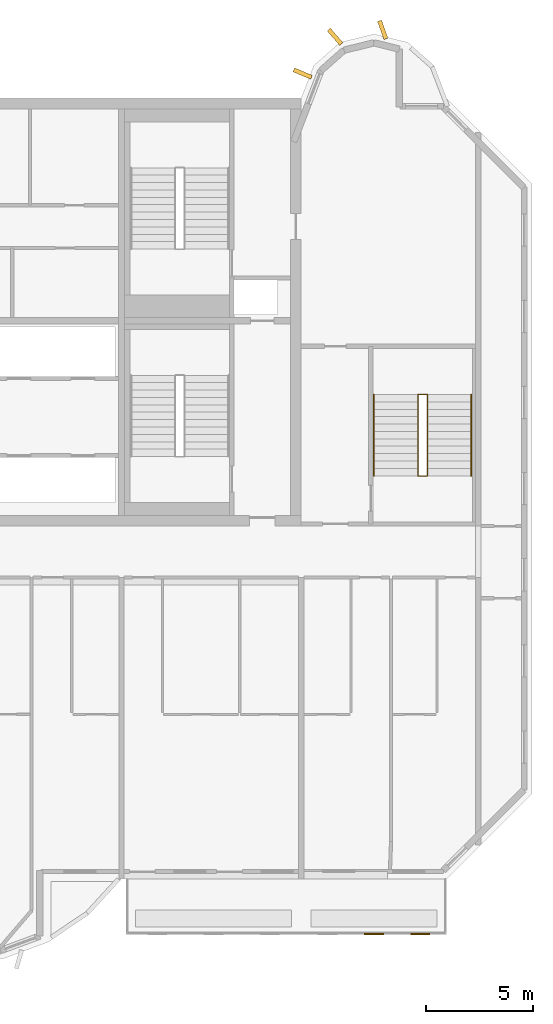
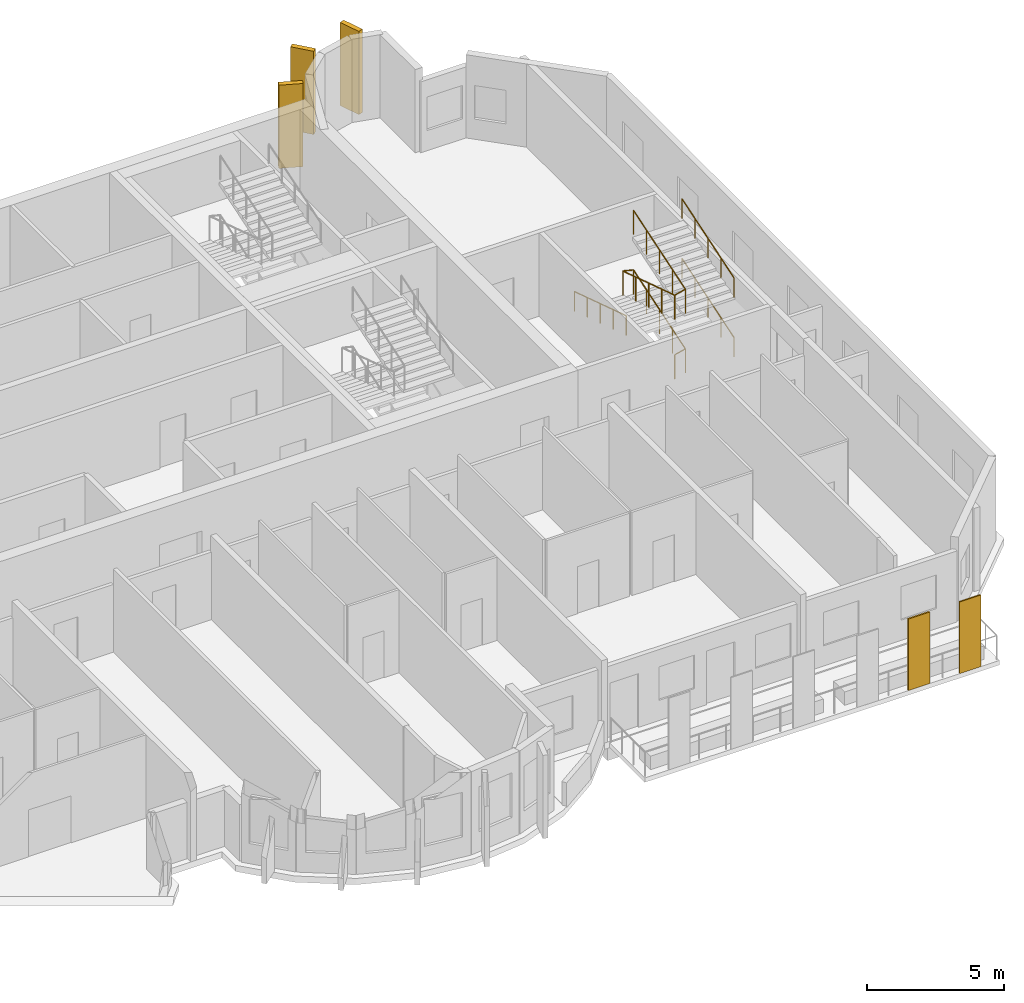
# One storey, part 11 of 12: 5 coverings, 4 railings.
"""IFC4 building model written with IfcOpenShell, lengths in metres."""

from ifc_helpers import new_model, si_unit, direction, frame, origin, origin_2d, place, context, subcontext, project, spatial, rectangle, circle, extrude, source, transform, mapped, material, layer, layer_set, material_profile, profile_set, type_object, element, save


model = new_model("IFC4")

# Units and contexts
model_context = context("Model", 3, precision=1e-05, world=origin(), true_north=direction((0.0, 1.0)))
body_context = subcontext(model_context, "Body", "Model", "MODEL_VIEW")
ifc_project = project(units=[si_unit("LENGTHUNIT", "METRE"), si_unit("AREAUNIT", "SQUARE_METRE"), si_unit("VOLUMEUNIT", "CUBIC_METRE"), si_unit("PLANEANGLEUNIT", "RADIAN"), si_unit("MASSUNIT", "GRAM", prefix="KILO")], contexts=[model_context])

# Site, building, storey
site_placement = place(None, origin())
site = spatial("IfcSite", under=ifc_project, at=site_placement, CompositionType="ELEMENT")
building_placement = place(site_placement, origin())
building = spatial("IfcBuilding", under=site, at=building_placement, Name="Vanashikhar Sky Hotel", CompositionType="ELEMENT")
storey_placement = place(building_placement, frame((0.0, 0.0, 313.699951171875)))
storey = spatial("IfcBuildingStorey", under=building, at=storey_placement, Name="L75", CompositionType="ELEMENT", Elevation=313.699951171875)

# Coverings
ifc_material_1 = material(Name="Terracotta", Category="masonry")
ifc_layer = layer(ifc_material_1, 0.06005859375)
ifc_layer_set = layer_set([ifc_layer], Name="Terracotta baguette screen")
covering_type_1 = type_object("IfcCoveringType", Name="Terracotta baguette screen", PredefinedType="CLADDING", material=ifc_layer_set)
shared_shape_1 = source(origin(), body_context, "Body", "SweptSolid", [
    extrude(rectangle(XDim=0.89990234375, YDim=0.06005859375, at=origin_2d()), origin(), (0.0, 0.0, 1.0), 3.199951171875),
])
for number, where, z_axis, x_axis, name in (
    (1, (79.0, 2.929931640625, -0.0498046875), (0.0, 0.0, 1.0), (1.0, 0.0, 0.0), "Terracotta screen"),
    (2, (81.166748046875, 2.929931640625, -0.0498046875), (0.0, 0.0, 1.0), (1.0, 0.0, 0.0), "Terracotta screen"),
):
    element("IfcCovering", number, at=place(storey_placement, frame(where, z_axis=z_axis, x_axis=x_axis)), inside=storey, type_object=covering_type_1, Name=name, PredefinedType="CLADDING", context=body_context, shape_type="MappedRepresentation", body=[
        mapped(shared_shape_1, transform((0.0, 0.0, 0.0), scale=1.0)),
    ])
ifc_material_2 = material(Name="Concrete M60 dark", Category="concrete")
ifc_material_profile = material_profile(ifc_material_2, rectangle(XDim=0.89990234375, YDim=0.199951171875, at=origin_2d()))
ifc_profile_set = profile_set([ifc_material_profile], Name="Crown fin 900 x 200")
covering_type_2 = type_object("IfcCoveringType", Name="Crown fin 900 x 200", PredefinedType="CLADDING", material=ifc_profile_set)
shared_shape_2 = source(origin(), body_context, "Body", "SweptSolid", [
    extrude(rectangle(XDim=0.89990234375, YDim=0.199951171875, at=origin_2d()), origin(), (0.0, 0.0, 1.0), 3.719970703125),
])
for number, where, z_axis, x_axis, name in (
    (3, (75.667236328125, 43.1533203125, 0.0), (0.0, 0.0, 1.0), (-0.922234715057, 0.386630482948, 0.0), "Fin R2-1"),
    (4, (77.181640625, 44.873291015625, 0.0), (0.0, 0.0, 1.0), (-0.655083741717, 0.755556279398, 0.0), "Fin R2-2"),
    (5, (79.410400390625, 45.199462890625, 0.0), (0.0, 0.0, 1.0), (-0.338425893748, 0.940993046967, 0.0), "Fin R2-3"),
):
    element("IfcCovering", number, at=place(storey_placement, frame(where, z_axis=z_axis, x_axis=x_axis)), inside=storey, type_object=covering_type_2, Name=name, PredefinedType="CLADDING", context=body_context, shape_type="MappedRepresentation", body=[
        mapped(shared_shape_2, transform((0.0, 0.0, 0.0), scale=1.0)),
    ])

# Railings
ifc_material_3 = material(Name="Steel S355", Category="steel")
railing_type_1 = type_object("IfcRailingType", Name="Stair handrail 900", PredefinedType="HANDRAIL", material=ifc_material_3)
shared_shape_3 = source(origin(), body_context, "Body", "SweptSolid", [
    extrude(circle(Radius=0.02392578125, at=origin_2d()), frame((0.0, 0.0, 0.8759765625), z_axis=(0.0, 0.951969995293, 0.306191325908), x_axis=(-1.0, 0.0, 0.0)), (0.0, 0.0, 1.0), 3.991455078125),
    extrude(circle(Radius=0.02099609375, at=origin_2d()), origin(), (0.0, 0.0, 1.0), 0.851806640625),
    extrude(circle(Radius=0.02099609375, at=origin_2d()), frame((0.0, 0.949951171875, 0.3056640625)), (0.0, 0.0, 1.0), 0.851806640625),
    extrude(circle(Radius=0.02099609375, at=origin_2d()), frame((0.0, 1.89990234375, 0.611083984375)), (0.0, 0.0, 1.0), 0.851806640625),
    extrude(circle(Radius=0.02099609375, at=origin_2d()), frame((0.0, 2.849853515625, 0.91650390625)), (0.0, 0.0, 1.0), 0.851806640625),
    extrude(circle(Radius=0.02099609375, at=origin_2d()), frame((0.0, 3.7998046875, 1.22216796875)), (0.0, 0.0, 1.0), 0.851806640625),
])
railing_1_placement = place(storey_placement, frame((83.550048828125, 24.35009765625, 2.77783203125)))
element("IfcRailing", 6, at=railing_1_placement, inside=storey, type_object=railing_type_1, Name="Exit stair 4 handrail", PredefinedType="HANDRAIL", context=body_context, shape_type="MappedRepresentation", body=[
    mapped(shared_shape_3, transform((0.0, 0.0, 0.0), scale=1.0)),
])
shared_shape_4 = source(origin(), body_context, "Body", "SweptSolid", [
    extrude(circle(Radius=0.02392578125, at=origin_2d()), frame((0.0, 0.0, 0.8759765625), z_axis=(0.0, -0.951969995293, 0.306191325908), x_axis=(1.0, 0.0, 0.0)), (0.0, 0.0, 1.0), 3.991455078125),
    extrude(circle(Radius=0.02099609375, at=origin_2d()), origin(), (0.0, 0.0, 1.0), 0.851806640625),
    extrude(circle(Radius=0.02099609375, at=origin_2d()), frame((0.0, -0.949951171875, 0.3056640625)), (0.0, 0.0, 1.0), 0.851806640625),
    extrude(circle(Radius=0.02099609375, at=origin_2d()), frame((0.0, -1.89990234375, 0.611083984375)), (0.0, 0.0, 1.0), 0.851806640625),
    extrude(circle(Radius=0.02099609375, at=origin_2d()), frame((0.0, -2.849853515625, 0.91650390625)), (0.0, 0.0, 1.0), 0.851806640625),
    extrude(circle(Radius=0.02099609375, at=origin_2d()), frame((0.0, -3.7998046875, 1.22216796875)), (0.0, 0.0, 1.0), 0.851806640625),
])
railing_2_placement = place(storey_placement, frame((79.0, 28.14990234375, 1.444580078125)))
element("IfcRailing", 7, at=railing_2_placement, inside=storey, type_object=railing_type_1, Name="Exit stair 4 handrail", PredefinedType="HANDRAIL", context=body_context, shape_type="MappedRepresentation", body=[
    mapped(shared_shape_4, transform((0.0, 0.0, 0.0), scale=1.0)),
])
railing_type_2 = type_object("IfcRailingType", Name="Stair guard 1100", PredefinedType="GUARDRAIL", material=ifc_material_3)
shared_shape_5 = source(origin(), body_context, "Body", "SweptSolid", [
    extrude(circle(Radius=0.02392578125, at=origin_2d()), frame((0.0, 0.0, 1.076171875), z_axis=(0.970851010584, 0.0, 0.239683781777), x_axis=(0.0, 1.0, 0.0)), (0.0, 0.0, 1.0), 0.46337890625),
    extrude(circle(Radius=0.02392578125, at=origin_2d()), frame((0.449951171875, 0.0, 1.18701171875), z_axis=(0.0, 0.951952165375, 0.306246754821), x_axis=(-1.0, 0.0, 0.0)), (0.0, 0.0, 1.0), 3.99169921875),
    extrude(circle(Radius=0.02392578125, at=origin_2d()), frame((0.449951171875, 3.7998046875, 2.40966796875), z_axis=(-0.970851010584, 0.0, 0.239683781777), x_axis=(0.0, -1.0, 0.0)), (0.0, 0.0, 1.0), 0.46337890625),
    extrude(circle(Radius=0.02392578125, at=origin_2d()), frame((0.0, 3.7998046875, 2.5205078125), z_axis=(0.0, -0.951969995293, 0.306191325908), x_axis=(1.0, 0.0, 0.0)), (0.0, 0.0, 1.0), 3.991455078125),
    extrude(circle(Radius=0.02392578125, at=origin_2d()), frame((0.0, 0.0, 3.74267578125), z_axis=(0.970851010584, 0.0, 0.239683781777), x_axis=(0.0, 1.0, 0.0)), (0.0, 0.0, 1.0), 0.46337890625),
    extrude(circle(Radius=0.02392578125, at=origin_2d()), frame((0.449951171875, 0.0, 3.85400390625), z_axis=(0.0, 0.951969995293, 0.306191325908), x_axis=(-1.0, 0.0, 0.0)), (0.0, 0.0, 1.0), 3.991455078125),
    extrude(circle(Radius=0.02099609375, at=origin_2d()), origin(), (0.0, 0.0, 1.0), 1.052001953125),
    extrude(circle(Radius=0.02099609375, at=origin_2d()), frame((0.449951171875, 0.0, 0.111083984375)), (0.0, 0.0, 1.0), 1.052001953125),
    extrude(circle(Radius=0.02099609375, at=origin_2d()), frame((0.449951171875, 0.949951171875, 0.416748046875)), (0.0, 0.0, 1.0), 1.052001953125),
    extrude(circle(Radius=0.02099609375, at=origin_2d()), frame((0.449951171875, 1.89990234375, 0.72216796875)), (0.0, 0.0, 1.0), 1.052001953125),
    extrude(circle(Radius=0.02099609375, at=origin_2d()), frame((0.449951171875, 2.849853515625, 1.02783203125)), (0.0, 0.0, 1.0), 1.052001953125),
    extrude(circle(Radius=0.02099609375, at=origin_2d()), frame((0.449951171875, 3.7998046875, 1.33349609375)), (0.0, 0.0, 1.0), 1.052001953125),
    extrude(circle(Radius=0.02099609375, at=origin_2d()), frame((0.0, 3.7998046875, 1.444580078125)), (0.0, 0.0, 1.0), 1.052001953125),
    extrude(circle(Radius=0.02099609375, at=origin_2d()), frame((0.0, 2.849853515625, 1.75)), (0.0, 0.0, 1.0), 1.052001953125),
    extrude(circle(Radius=0.02099609375, at=origin_2d()), frame((0.0, 1.89990234375, 2.0556640625)), (0.0, 0.0, 1.0), 1.052001953125),
    extrude(circle(Radius=0.02099609375, at=origin_2d()), frame((0.0, 0.949951171875, 2.361328125)), (0.0, 0.0, 1.0), 1.052001953125),
    extrude(circle(Radius=0.02099609375, at=origin_2d()), frame((0.0, 0.0, 2.666748046875)), (0.0, 0.0, 1.0), 1.052001953125),
    extrude(circle(Radius=0.02099609375, at=origin_2d()), frame((0.449951171875, 0.0, 2.77783203125)), (0.0, 0.0, 1.0), 1.052001953125),
    extrude(circle(Radius=0.02099609375, at=origin_2d()), frame((0.449951171875, 0.949951171875, 3.08349609375)), (0.0, 0.0, 1.0), 1.052001953125),
    extrude(circle(Radius=0.02099609375, at=origin_2d()), frame((0.449951171875, 1.89990234375, 3.388916015625)), (0.0, 0.0, 1.0), 1.052001953125),
    extrude(circle(Radius=0.02099609375, at=origin_2d()), frame((0.449951171875, 2.849853515625, 3.6943359375)), (0.0, 0.0, 1.0), 1.052001953125),
    extrude(circle(Radius=0.02099609375, at=origin_2d()), frame((0.449951171875, 3.7998046875, 4.0)), (0.0, 0.0, 1.0), 1.052001953125),
])
railing_3_placement = place(storey_placement, frame((81.050048828125, 24.35009765625, 0.0)))
element("IfcRailing", 8, at=railing_3_placement, inside=storey, type_object=railing_type_2, Name="Exit stair 4 guard", PredefinedType="GUARDRAIL", context=body_context, shape_type="MappedRepresentation", body=[
    mapped(shared_shape_5, transform((0.0, 0.0, 0.0), scale=1.0)),
])
shared_shape_6 = source(origin(), body_context, "Body", "SweptSolid", [
    extrude(circle(Radius=0.02392578125, at=origin_2d()), frame((0.0, 0.0, 0.8759765625), z_axis=(0.0, 0.951952165375, 0.306246754821), x_axis=(-1.0, 0.0, 0.0)), (0.0, 0.0, 1.0), 3.99169921875),
    extrude(circle(Radius=0.02099609375, at=origin_2d()), origin(), (0.0, 0.0, 1.0), 0.851806640625),
    extrude(circle(Radius=0.02099609375, at=origin_2d()), frame((0.0, 0.949951171875, 0.3056640625)), (0.0, 0.0, 1.0), 0.851806640625),
    extrude(circle(Radius=0.02099609375, at=origin_2d()), frame((0.0, 1.89990234375, 0.611328125)), (0.0, 0.0, 1.0), 0.851806640625),
    extrude(circle(Radius=0.02099609375, at=origin_2d()), frame((0.0, 2.849853515625, 0.916748046875)), (0.0, 0.0, 1.0), 0.851806640625),
    extrude(circle(Radius=0.02099609375, at=origin_2d()), frame((0.0, 3.7998046875, 1.222412109375)), (0.0, 0.0, 1.0), 0.851806640625),
])
railing_4_placement = place(storey_placement, frame((83.550048828125, 24.35009765625, 0.111083984375)))
element("IfcRailing", 9, at=railing_4_placement, inside=storey, type_object=railing_type_1, Name="Exit stair 4 handrail", PredefinedType="HANDRAIL", context=body_context, shape_type="MappedRepresentation", body=[
    mapped(shared_shape_6, transform((0.0, 0.0, 0.0), scale=1.0)),
])

save(model, "model.ifc")
